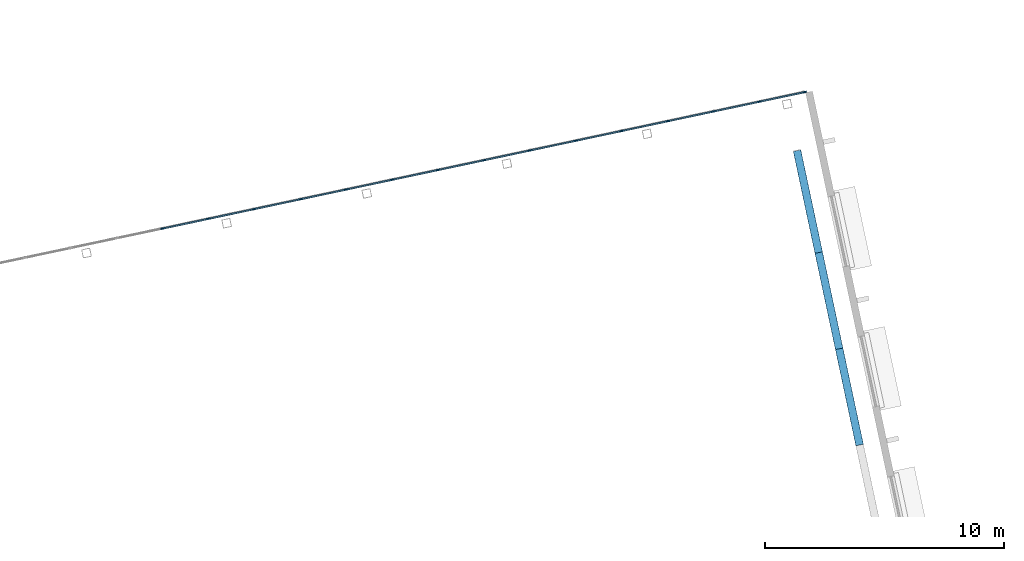
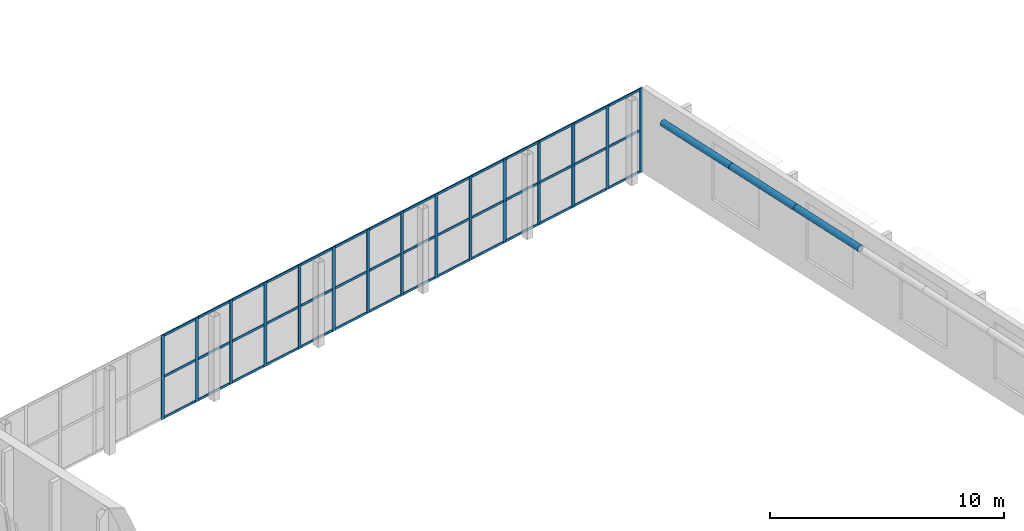
# One storey, part 34 of 95: 60 members, 1 element without a shape of its own.
"""IFC4 building model written with IfcOpenShell, lengths in metres."""

from ifc_helpers import new_model, si_unit, direction, frame, origin, origin_2d, place, context, subcontext, project, spatial, rectangle, hollow_circle, extrude, material, layer, layer_set, material_profile, profile_set, type_object, element, aggregate, save


model = new_model("IFC4")

# Units and contexts
model_context = context("Model", 3, precision=1e-05, world=origin(), true_north=direction((0.0, 1.0)))
body_context = subcontext(model_context, "Body", "Model", "MODEL_VIEW")
ifc_project = project(units=[si_unit("LENGTHUNIT", "METRE"), si_unit("AREAUNIT", "SQUARE_METRE"), si_unit("VOLUMEUNIT", "CUBIC_METRE"), si_unit("PLANEANGLEUNIT", "RADIAN"), si_unit("MASSUNIT", "GRAM", prefix="KILO")], contexts=[model_context])

# Site, building, storey
site_placement = place(None, origin())
site = spatial("IfcSite", under=ifc_project, at=site_placement, CompositionType="ELEMENT")
building_placement = place(site_placement, origin())
building = spatial("IfcBuilding", under=site, at=building_placement, Name="Windward Yard Aquatics Centre", CompositionType="ELEMENT")
storey_placement = place(building_placement, frame((0.0, 0.0, 9.39990234375)))
storey = spatial("IfcBuildingStorey", under=building, at=storey_placement, Name="L02", CompositionType="ELEMENT", Elevation=9.39990234375)

# Members
ifc_material_1 = material(Name="Steel ASTM A500 Gr C", Category="steel")
ifc_material_profile_1 = material_profile(ifc_material_1, hollow_circle(Radius=0.161865234375, WallThickness=0.0126953125, at=origin_2d()), Name="HSS323.9X12.7")
ifc_profile_set_1 = profile_set([ifc_material_profile_1], Name="Steel ASTM A500 Gr C")
member_type_1 = type_object("IfcMemberType", Name="D bottom chord HSS323.9X12.7", PredefinedType="CHORD", material=ifc_profile_set_1)
for number, where, z_axis, x_axis, name in (
    (1, (195.17822265625, 67.757568359375, 4.16796875), (-0.207906233063, 0.978148760799, 0.0), (-0.978148760799, -0.207906233063, 0.0), "D.M.TR7.BC5"),
    (2, (194.321533203125, 71.7880859375, 4.16796875), (-0.207906233063, 0.978148760799, 0.0), (-0.978148760799, -0.207906233063, 0.0), "D.M.TR7.BC6"),
):
    element("IfcMember", number, at=place(storey_placement, frame(where, z_axis=z_axis, x_axis=x_axis)), inside=storey, type_object=member_type_1, Name=name, PredefinedType="CHORD", context=body_context, shape_type="SweptSolid", body=[
        extrude(hollow_circle(Radius=0.161865234375, WallThickness=0.0126953125, at=origin_2d()), origin(), (0.0, 0.0, 1.0), 4.12060546875),
    ])
member_1_placement = place(storey_placement, frame((193.46484375, 75.818603515625, 4.16796875), z_axis=(-0.207918885104, 0.978146071513, 0.0), x_axis=(-0.978146071513, -0.207918885104, 0.0)))
element("IfcMember", 3, at=member_1_placement, inside=storey, type_object=member_type_1, Name="D.M.TR7.BC7", PredefinedType="CHORD", context=body_context, shape_type="SweptSolid", body=[
    extrude(hollow_circle(Radius=0.161865234375, WallThickness=0.0126953125, at=origin_2d()), origin(), (0.0, 0.0, 1.0), 4.370361328125),
])

# Curtain wall, members
ifc_material_2 = material(Name="Aluminium and glass", Category="aluminium")
ifc_layer = layer(ifc_material_2, 0.159912109375)
ifc_layer_set = layer_set([ifc_layer], Name="D curtain wall 160")
curtain_wall_type = type_object("IfcCurtainWallType", Name="D curtain wall 160", PredefinedType="NOTDEFINED", material=ifc_layer_set)
curtain_wall_placement = place(storey_placement, origin())
curtain_wall = element("IfcCurtainWall", 4, at=curtain_wall_placement, inside=storey, type_object=curtain_wall_type, Name="North glazing L02", PredefinedType="NOTDEFINED")
ifc_material_3 = material(Name="Aluminium extrusion", Category="aluminium")
ifc_material_profile_2 = material_profile(ifc_material_3, rectangle(XDim=0.06005859375, YDim=0.159912109375, at=origin_2d()), Name="MULLION 60X160")
ifc_profile_set_2 = profile_set([ifc_material_profile_2], Name="Aluminium extrusion")
member_type_2 = type_object("IfcMemberType", Name="D curtain wall mullion 60X160", PredefinedType="MULLION", material=ifc_profile_set_2)
member_2_placement = place(storey_placement, frame((165.98388671875, 76.82568359375, 0.0), z_axis=(0.0, 0.0, 1.0), x_axis=(-0.207911718662, 0.978147594815, 0.0)))
member_2 = element("IfcMember", 5, at=member_2_placement, type_object=member_type_2, Name="DCW-L02 mullion 6", PredefinedType="MULLION", context=body_context, shape_type="SweptSolid", body=[
    extrude(rectangle(XDim=0.06005859375, YDim=0.159912109375, at=origin_2d()), origin(), (0.0, 0.0, 1.0), 4.400146484375),
])
member_3_placement = place(storey_placement, frame((167.90673828125, 77.234375, 0.0), z_axis=(0.0, 0.0, 1.0), x_axis=(-0.207911718662, 0.978147594815, 0.0)))
member_3 = element("IfcMember", 6, at=member_3_placement, type_object=member_type_2, Name="DCW-L02 mullion 7", PredefinedType="MULLION", context=body_context, shape_type="SweptSolid", body=[
    extrude(rectangle(XDim=0.06005859375, YDim=0.159912109375, at=origin_2d()), origin(), (0.0, 0.0, 1.0), 4.400146484375),
])
member_4_placement = place(storey_placement, frame((169.82958984375, 77.64306640625, 0.0), z_axis=(0.0, 0.0, 1.0), x_axis=(-0.207911718662, 0.978147594815, 0.0)))
member_4 = element("IfcMember", 7, at=member_4_placement, type_object=member_type_2, Name="DCW-L02 mullion 8", PredefinedType="MULLION", context=body_context, shape_type="SweptSolid", body=[
    extrude(rectangle(XDim=0.06005859375, YDim=0.159912109375, at=origin_2d()), origin(), (0.0, 0.0, 1.0), 4.400146484375),
])
member_5_placement = place(storey_placement, frame((171.75244140625, 78.0517578125, 0.0), z_axis=(0.0, 0.0, 1.0), x_axis=(-0.207911718662, 0.978147594815, 0.0)))
member_5 = element("IfcMember", 8, at=member_5_placement, type_object=member_type_2, Name="DCW-L02 mullion 9", PredefinedType="MULLION", context=body_context, shape_type="SweptSolid", body=[
    extrude(rectangle(XDim=0.06005859375, YDim=0.159912109375, at=origin_2d()), origin(), (0.0, 0.0, 1.0), 4.400146484375),
])
member_6_placement = place(storey_placement, frame((173.67529296875, 78.46044921875, 0.0), z_axis=(0.0, 0.0, 1.0), x_axis=(-0.207911718662, 0.978147594815, 0.0)))
member_6 = element("IfcMember", 9, at=member_6_placement, type_object=member_type_2, Name="DCW-L02 mullion 10", PredefinedType="MULLION", context=body_context, shape_type="SweptSolid", body=[
    extrude(rectangle(XDim=0.06005859375, YDim=0.159912109375, at=origin_2d()), origin(), (0.0, 0.0, 1.0), 4.400146484375),
])
member_7_placement = place(storey_placement, frame((175.59814453125, 78.869140625, 0.0), z_axis=(0.0, 0.0, 1.0), x_axis=(-0.207911718662, 0.978147594815, 0.0)))
member_7 = element("IfcMember", 10, at=member_7_placement, type_object=member_type_2, Name="DCW-L02 mullion 11", PredefinedType="MULLION", context=body_context, shape_type="SweptSolid", body=[
    extrude(rectangle(XDim=0.06005859375, YDim=0.159912109375, at=origin_2d()), origin(), (0.0, 0.0, 1.0), 4.400146484375),
])
member_8_placement = place(storey_placement, frame((177.52099609375, 79.27783203125, 0.0), z_axis=(0.0, 0.0, 1.0), x_axis=(-0.207911718662, 0.978147594815, 0.0)))
member_8 = element("IfcMember", 11, at=member_8_placement, type_object=member_type_2, Name="DCW-L02 mullion 12", PredefinedType="MULLION", context=body_context, shape_type="SweptSolid", body=[
    extrude(rectangle(XDim=0.06005859375, YDim=0.159912109375, at=origin_2d()), origin(), (0.0, 0.0, 1.0), 4.400146484375),
])
member_9_placement = place(storey_placement, frame((179.44384765625, 79.6865234375, 0.0), z_axis=(0.0, 0.0, 1.0), x_axis=(-0.207911718662, 0.978147594815, 0.0)))
member_9 = element("IfcMember", 12, at=member_9_placement, type_object=member_type_2, Name="DCW-L02 mullion 13", PredefinedType="MULLION", context=body_context, shape_type="SweptSolid", body=[
    extrude(rectangle(XDim=0.06005859375, YDim=0.159912109375, at=origin_2d()), origin(), (0.0, 0.0, 1.0), 4.400146484375),
])
member_10_placement = place(storey_placement, frame((181.36669921875, 80.09521484375, 0.0), z_axis=(0.0, 0.0, 1.0), x_axis=(-0.207911718662, 0.978147594815, 0.0)))
member_10 = element("IfcMember", 13, at=member_10_placement, type_object=member_type_2, Name="DCW-L02 mullion 14", PredefinedType="MULLION", context=body_context, shape_type="SweptSolid", body=[
    extrude(rectangle(XDim=0.06005859375, YDim=0.159912109375, at=origin_2d()), origin(), (0.0, 0.0, 1.0), 4.400146484375),
])
member_11_placement = place(storey_placement, frame((183.28955078125, 80.504150390625, 0.0), z_axis=(0.0, 0.0, 1.0), x_axis=(-0.207911718662, 0.978147594815, 0.0)))
member_11 = element("IfcMember", 14, at=member_11_placement, type_object=member_type_2, Name="DCW-L02 mullion 15", PredefinedType="MULLION", context=body_context, shape_type="SweptSolid", body=[
    extrude(rectangle(XDim=0.06005859375, YDim=0.159912109375, at=origin_2d()), origin(), (0.0, 0.0, 1.0), 4.400146484375),
])
member_12_placement = place(storey_placement, frame((185.212158203125, 80.912841796875, 0.0), z_axis=(0.0, 0.0, 1.0), x_axis=(-0.207911718662, 0.978147594815, 0.0)))
member_12 = element("IfcMember", 15, at=member_12_placement, type_object=member_type_2, Name="DCW-L02 mullion 16", PredefinedType="MULLION", context=body_context, shape_type="SweptSolid", body=[
    extrude(rectangle(XDim=0.06005859375, YDim=0.159912109375, at=origin_2d()), origin(), (0.0, 0.0, 1.0), 4.400146484375),
])
member_13_placement = place(storey_placement, frame((187.135009765625, 81.321533203125, 0.0), z_axis=(0.0, 0.0, 1.0), x_axis=(-0.207911718662, 0.978147594815, 0.0)))
member_13 = element("IfcMember", 16, at=member_13_placement, type_object=member_type_2, Name="DCW-L02 mullion 17", PredefinedType="MULLION", context=body_context, shape_type="SweptSolid", body=[
    extrude(rectangle(XDim=0.06005859375, YDim=0.159912109375, at=origin_2d()), origin(), (0.0, 0.0, 1.0), 4.400146484375),
])
member_14_placement = place(storey_placement, frame((189.057861328125, 81.730224609375, 0.0), z_axis=(0.0, 0.0, 1.0), x_axis=(-0.207911718662, 0.978147594815, 0.0)))
member_14 = element("IfcMember", 17, at=member_14_placement, type_object=member_type_2, Name="DCW-L02 mullion 18", PredefinedType="MULLION", context=body_context, shape_type="SweptSolid", body=[
    extrude(rectangle(XDim=0.06005859375, YDim=0.159912109375, at=origin_2d()), origin(), (0.0, 0.0, 1.0), 4.400146484375),
])
member_15_placement = place(storey_placement, frame((190.980712890625, 82.138916015625, 0.0), z_axis=(0.0, 0.0, 1.0), x_axis=(-0.207911718662, 0.978147594815, 0.0)))
member_15 = element("IfcMember", 18, at=member_15_placement, type_object=member_type_2, Name="DCW-L02 mullion 19", PredefinedType="MULLION", context=body_context, shape_type="SweptSolid", body=[
    extrude(rectangle(XDim=0.06005859375, YDim=0.159912109375, at=origin_2d()), origin(), (0.0, 0.0, 1.0), 4.400146484375),
])
member_16_placement = place(storey_placement, frame((192.874267578125, 82.541259765625, 0.0), z_axis=(0.0, 0.0, 1.0), x_axis=(-0.207911718662, 0.978147594815, 0.0)))
member_16 = element("IfcMember", 19, at=member_16_placement, type_object=member_type_2, Name="DCW-L02 mullion 20", PredefinedType="MULLION", context=body_context, shape_type="SweptSolid", body=[
    extrude(rectangle(XDim=0.06005859375, YDim=0.159912109375, at=origin_2d()), origin(), (0.0, 0.0, 1.0), 4.400146484375),
])
ifc_material_profile_3 = material_profile(ifc_material_3, rectangle(XDim=0.06005859375, YDim=0.1201171875, at=origin_2d()), Name="TRANSOM 60X120")
ifc_profile_set_3 = profile_set([ifc_material_profile_3], Name="Aluminium extrusion")
member_type_3 = type_object("IfcMemberType", Name="D curtain wall transom 60X120", PredefinedType="USERDEFINED", material=ifc_profile_set_3)
member_17_placement = place(storey_placement, frame((166.01318359375, 76.831787109375, 0.06005859375), z_axis=(0.978149734379, 0.207901652553, 0.0), x_axis=(-0.207901652553, 0.978149734379, 0.0)))
member_17 = element("IfcMember", 20, at=member_17_placement, type_object=member_type_3, Name="DCW-L02 transom 6.1", ObjectType="TRANSOM", PredefinedType="USERDEFINED", context=body_context, shape_type="SweptSolid", body=[
    extrude(rectangle(XDim=0.06005859375, YDim=0.1201171875, at=origin_2d()), origin(), (0.0, 0.0, 1.0), 1.906005859375),
])
member_18_placement = place(storey_placement, frame((166.01318359375, 76.831787109375, 2.2001953125), z_axis=(0.978149734379, 0.207901652553, 0.0), x_axis=(-0.207901652553, 0.978149734379, 0.0)))
member_18 = element("IfcMember", 21, at=member_18_placement, type_object=member_type_3, Name="DCW-L02 transom 6.2", ObjectType="TRANSOM", PredefinedType="USERDEFINED", context=body_context, shape_type="SweptSolid", body=[
    extrude(rectangle(XDim=0.06005859375, YDim=0.1201171875, at=origin_2d()), origin(), (0.0, 0.0, 1.0), 1.906005859375),
])
member_19_placement = place(storey_placement, frame((166.01318359375, 76.831787109375, 4.340087890625), z_axis=(0.978149734379, 0.207901652553, 0.0), x_axis=(-0.207901652553, 0.978149734379, 0.0)))
member_19 = element("IfcMember", 22, at=member_19_placement, type_object=member_type_3, Name="DCW-L02 transom 6.3", ObjectType="TRANSOM", PredefinedType="USERDEFINED", context=body_context, shape_type="SweptSolid", body=[
    extrude(rectangle(XDim=0.06005859375, YDim=0.1201171875, at=origin_2d()), origin(), (0.0, 0.0, 1.0), 1.906005859375),
])
member_20_placement = place(storey_placement, frame((167.93603515625, 77.240478515625, 0.06005859375), z_axis=(0.978149734379, 0.207901652553, 0.0), x_axis=(-0.207901652553, 0.978149734379, 0.0)))
member_20 = element("IfcMember", 23, at=member_20_placement, type_object=member_type_3, Name="DCW-L02 transom 7.1", ObjectType="TRANSOM", PredefinedType="USERDEFINED", context=body_context, shape_type="SweptSolid", body=[
    extrude(rectangle(XDim=0.06005859375, YDim=0.1201171875, at=origin_2d()), origin(), (0.0, 0.0, 1.0), 1.906005859375),
])
member_21_placement = place(storey_placement, frame((167.93603515625, 77.240478515625, 2.2001953125), z_axis=(0.978149734379, 0.207901652553, 0.0), x_axis=(-0.207901652553, 0.978149734379, 0.0)))
member_21 = element("IfcMember", 24, at=member_21_placement, type_object=member_type_3, Name="DCW-L02 transom 7.2", ObjectType="TRANSOM", PredefinedType="USERDEFINED", context=body_context, shape_type="SweptSolid", body=[
    extrude(rectangle(XDim=0.06005859375, YDim=0.1201171875, at=origin_2d()), origin(), (0.0, 0.0, 1.0), 1.906005859375),
])
member_22_placement = place(storey_placement, frame((167.93603515625, 77.240478515625, 4.340087890625), z_axis=(0.978149734379, 0.207901652553, 0.0), x_axis=(-0.207901652553, 0.978149734379, 0.0)))
member_22 = element("IfcMember", 25, at=member_22_placement, type_object=member_type_3, Name="DCW-L02 transom 7.3", ObjectType="TRANSOM", PredefinedType="USERDEFINED", context=body_context, shape_type="SweptSolid", body=[
    extrude(rectangle(XDim=0.06005859375, YDim=0.1201171875, at=origin_2d()), origin(), (0.0, 0.0, 1.0), 1.906005859375),
])
member_23_placement = place(storey_placement, frame((169.85888671875, 77.6494140625, 0.06005859375), z_axis=(0.978149734379, 0.207901652553, 0.0), x_axis=(-0.207901652553, 0.978149734379, 0.0)))
member_23 = element("IfcMember", 26, at=member_23_placement, type_object=member_type_3, Name="DCW-L02 transom 8.1", ObjectType="TRANSOM", PredefinedType="USERDEFINED", context=body_context, shape_type="SweptSolid", body=[
    extrude(rectangle(XDim=0.06005859375, YDim=0.1201171875, at=origin_2d()), origin(), (0.0, 0.0, 1.0), 1.906005859375),
])
member_24_placement = place(storey_placement, frame((169.85888671875, 77.6494140625, 2.2001953125), z_axis=(0.978149734379, 0.207901652553, 0.0), x_axis=(-0.207901652553, 0.978149734379, 0.0)))
member_24 = element("IfcMember", 27, at=member_24_placement, type_object=member_type_3, Name="DCW-L02 transom 8.2", ObjectType="TRANSOM", PredefinedType="USERDEFINED", context=body_context, shape_type="SweptSolid", body=[
    extrude(rectangle(XDim=0.06005859375, YDim=0.1201171875, at=origin_2d()), origin(), (0.0, 0.0, 1.0), 1.906005859375),
])
member_25_placement = place(storey_placement, frame((169.85888671875, 77.6494140625, 4.340087890625), z_axis=(0.978149734379, 0.207901652553, 0.0), x_axis=(-0.207901652553, 0.978149734379, 0.0)))
member_25 = element("IfcMember", 28, at=member_25_placement, type_object=member_type_3, Name="DCW-L02 transom 8.3", ObjectType="TRANSOM", PredefinedType="USERDEFINED", context=body_context, shape_type="SweptSolid", body=[
    extrude(rectangle(XDim=0.06005859375, YDim=0.1201171875, at=origin_2d()), origin(), (0.0, 0.0, 1.0), 1.906005859375),
])
member_26_placement = place(storey_placement, frame((171.78173828125, 78.05810546875, 0.06005859375), z_axis=(0.978149734379, 0.207901652553, 0.0), x_axis=(-0.207901652553, 0.978149734379, 0.0)))
member_26 = element("IfcMember", 29, at=member_26_placement, type_object=member_type_3, Name="DCW-L02 transom 9.1", ObjectType="TRANSOM", PredefinedType="USERDEFINED", context=body_context, shape_type="SweptSolid", body=[
    extrude(rectangle(XDim=0.06005859375, YDim=0.1201171875, at=origin_2d()), origin(), (0.0, 0.0, 1.0), 1.906005859375),
])
member_27_placement = place(storey_placement, frame((171.78173828125, 78.05810546875, 2.2001953125), z_axis=(0.978149734379, 0.207901652553, 0.0), x_axis=(-0.207901652553, 0.978149734379, 0.0)))
member_27 = element("IfcMember", 30, at=member_27_placement, type_object=member_type_3, Name="DCW-L02 transom 9.2", ObjectType="TRANSOM", PredefinedType="USERDEFINED", context=body_context, shape_type="SweptSolid", body=[
    extrude(rectangle(XDim=0.06005859375, YDim=0.1201171875, at=origin_2d()), origin(), (0.0, 0.0, 1.0), 1.906005859375),
])
member_28_placement = place(storey_placement, frame((171.78173828125, 78.05810546875, 4.340087890625), z_axis=(0.978149734379, 0.207901652553, 0.0), x_axis=(-0.207901652553, 0.978149734379, 0.0)))
member_28 = element("IfcMember", 31, at=member_28_placement, type_object=member_type_3, Name="DCW-L02 transom 9.3", ObjectType="TRANSOM", PredefinedType="USERDEFINED", context=body_context, shape_type="SweptSolid", body=[
    extrude(rectangle(XDim=0.06005859375, YDim=0.1201171875, at=origin_2d()), origin(), (0.0, 0.0, 1.0), 1.906005859375),
])
member_29_placement = place(storey_placement, frame((173.70458984375, 78.466796875, 0.06005859375), z_axis=(0.978149734379, 0.207901652553, 0.0), x_axis=(-0.207901652553, 0.978149734379, 0.0)))
member_29 = element("IfcMember", 32, at=member_29_placement, type_object=member_type_3, Name="DCW-L02 transom 10.1", ObjectType="TRANSOM", PredefinedType="USERDEFINED", context=body_context, shape_type="SweptSolid", body=[
    extrude(rectangle(XDim=0.06005859375, YDim=0.1201171875, at=origin_2d()), origin(), (0.0, 0.0, 1.0), 1.906005859375),
])
member_30_placement = place(storey_placement, frame((173.70458984375, 78.466796875, 2.2001953125), z_axis=(0.978149734379, 0.207901652553, 0.0), x_axis=(-0.207901652553, 0.978149734379, 0.0)))
member_30 = element("IfcMember", 33, at=member_30_placement, type_object=member_type_3, Name="DCW-L02 transom 10.2", ObjectType="TRANSOM", PredefinedType="USERDEFINED", context=body_context, shape_type="SweptSolid", body=[
    extrude(rectangle(XDim=0.06005859375, YDim=0.1201171875, at=origin_2d()), origin(), (0.0, 0.0, 1.0), 1.906005859375),
])
member_31_placement = place(storey_placement, frame((173.70458984375, 78.466796875, 4.340087890625), z_axis=(0.978149734379, 0.207901652553, 0.0), x_axis=(-0.207901652553, 0.978149734379, 0.0)))
member_31 = element("IfcMember", 34, at=member_31_placement, type_object=member_type_3, Name="DCW-L02 transom 10.3", ObjectType="TRANSOM", PredefinedType="USERDEFINED", context=body_context, shape_type="SweptSolid", body=[
    extrude(rectangle(XDim=0.06005859375, YDim=0.1201171875, at=origin_2d()), origin(), (0.0, 0.0, 1.0), 1.906005859375),
])
member_32_placement = place(storey_placement, frame((175.62744140625, 78.87548828125, 0.06005859375), z_axis=(0.978149734379, 0.207901652553, 0.0), x_axis=(-0.207901652553, 0.978149734379, 0.0)))
member_32 = element("IfcMember", 35, at=member_32_placement, type_object=member_type_3, Name="DCW-L02 transom 11.1", ObjectType="TRANSOM", PredefinedType="USERDEFINED", context=body_context, shape_type="SweptSolid", body=[
    extrude(rectangle(XDim=0.06005859375, YDim=0.1201171875, at=origin_2d()), origin(), (0.0, 0.0, 1.0), 1.906005859375),
])
member_33_placement = place(storey_placement, frame((175.62744140625, 78.87548828125, 2.2001953125), z_axis=(0.978149734379, 0.207901652553, 0.0), x_axis=(-0.207901652553, 0.978149734379, 0.0)))
member_33 = element("IfcMember", 36, at=member_33_placement, type_object=member_type_3, Name="DCW-L02 transom 11.2", ObjectType="TRANSOM", PredefinedType="USERDEFINED", context=body_context, shape_type="SweptSolid", body=[
    extrude(rectangle(XDim=0.06005859375, YDim=0.1201171875, at=origin_2d()), origin(), (0.0, 0.0, 1.0), 1.906005859375),
])
member_34_placement = place(storey_placement, frame((175.62744140625, 78.87548828125, 4.340087890625), z_axis=(0.978149734379, 0.207901652553, 0.0), x_axis=(-0.207901652553, 0.978149734379, 0.0)))
member_34 = element("IfcMember", 37, at=member_34_placement, type_object=member_type_3, Name="DCW-L02 transom 11.3", ObjectType="TRANSOM", PredefinedType="USERDEFINED", context=body_context, shape_type="SweptSolid", body=[
    extrude(rectangle(XDim=0.06005859375, YDim=0.1201171875, at=origin_2d()), origin(), (0.0, 0.0, 1.0), 1.906005859375),
])
member_35_placement = place(storey_placement, frame((177.55029296875, 79.2841796875, 0.06005859375), z_axis=(0.978149734379, 0.207901652553, 0.0), x_axis=(-0.207901652553, 0.978149734379, 0.0)))
member_35 = element("IfcMember", 38, at=member_35_placement, type_object=member_type_3, Name="DCW-L02 transom 12.1", ObjectType="TRANSOM", PredefinedType="USERDEFINED", context=body_context, shape_type="SweptSolid", body=[
    extrude(rectangle(XDim=0.06005859375, YDim=0.1201171875, at=origin_2d()), origin(), (0.0, 0.0, 1.0), 1.906005859375),
])
member_36_placement = place(storey_placement, frame((177.55029296875, 79.2841796875, 2.2001953125), z_axis=(0.978149734379, 0.207901652553, 0.0), x_axis=(-0.207901652553, 0.978149734379, 0.0)))
member_36 = element("IfcMember", 39, at=member_36_placement, type_object=member_type_3, Name="DCW-L02 transom 12.2", ObjectType="TRANSOM", PredefinedType="USERDEFINED", context=body_context, shape_type="SweptSolid", body=[
    extrude(rectangle(XDim=0.06005859375, YDim=0.1201171875, at=origin_2d()), origin(), (0.0, 0.0, 1.0), 1.906005859375),
])
member_37_placement = place(storey_placement, frame((177.55029296875, 79.2841796875, 4.340087890625), z_axis=(0.978149734379, 0.207901652553, 0.0), x_axis=(-0.207901652553, 0.978149734379, 0.0)))
member_37 = element("IfcMember", 40, at=member_37_placement, type_object=member_type_3, Name="DCW-L02 transom 12.3", ObjectType="TRANSOM", PredefinedType="USERDEFINED", context=body_context, shape_type="SweptSolid", body=[
    extrude(rectangle(XDim=0.06005859375, YDim=0.1201171875, at=origin_2d()), origin(), (0.0, 0.0, 1.0), 1.906005859375),
])
member_38_placement = place(storey_placement, frame((179.47314453125, 79.69287109375, 0.06005859375), z_axis=(0.978144196583, 0.207927705443, 0.0), x_axis=(-0.207927705443, 0.978144196583, 0.0)))
member_38 = element("IfcMember", 41, at=member_38_placement, type_object=member_type_3, Name="DCW-L02 transom 13.1", ObjectType="TRANSOM", PredefinedType="USERDEFINED", context=body_context, shape_type="SweptSolid", body=[
    extrude(rectangle(XDim=0.06005859375, YDim=0.1201171875, at=origin_2d()), origin(), (0.0, 0.0, 1.0), 1.90576171875),
])
member_39_placement = place(storey_placement, frame((179.47314453125, 79.69287109375, 2.2001953125), z_axis=(0.978144196583, 0.207927705443, 0.0), x_axis=(-0.207927705443, 0.978144196583, 0.0)))
member_39 = element("IfcMember", 42, at=member_39_placement, type_object=member_type_3, Name="DCW-L02 transom 13.2", ObjectType="TRANSOM", PredefinedType="USERDEFINED", context=body_context, shape_type="SweptSolid", body=[
    extrude(rectangle(XDim=0.06005859375, YDim=0.1201171875, at=origin_2d()), origin(), (0.0, 0.0, 1.0), 1.90576171875),
])
member_40_placement = place(storey_placement, frame((179.47314453125, 79.69287109375, 4.340087890625), z_axis=(0.978144196583, 0.207927705443, 0.0), x_axis=(-0.207927705443, 0.978144196583, 0.0)))
member_40 = element("IfcMember", 43, at=member_40_placement, type_object=member_type_3, Name="DCW-L02 transom 13.3", ObjectType="TRANSOM", PredefinedType="USERDEFINED", context=body_context, shape_type="SweptSolid", body=[
    extrude(rectangle(XDim=0.06005859375, YDim=0.1201171875, at=origin_2d()), origin(), (0.0, 0.0, 1.0), 1.90576171875),
])
member_41_placement = place(storey_placement, frame((181.39599609375, 80.1015625, 0.06005859375), z_axis=(0.978144196583, 0.207927705443, 0.0), x_axis=(-0.207927705443, 0.978144196583, 0.0)))
member_41 = element("IfcMember", 44, at=member_41_placement, type_object=member_type_3, Name="DCW-L02 transom 14.1", ObjectType="TRANSOM", PredefinedType="USERDEFINED", context=body_context, shape_type="SweptSolid", body=[
    extrude(rectangle(XDim=0.06005859375, YDim=0.1201171875, at=origin_2d()), origin(), (0.0, 0.0, 1.0), 1.90576171875),
])
member_42_placement = place(storey_placement, frame((181.39599609375, 80.1015625, 2.2001953125), z_axis=(0.978144196583, 0.207927705443, 0.0), x_axis=(-0.207927705443, 0.978144196583, 0.0)))
member_42 = element("IfcMember", 45, at=member_42_placement, type_object=member_type_3, Name="DCW-L02 transom 14.2", ObjectType="TRANSOM", PredefinedType="USERDEFINED", context=body_context, shape_type="SweptSolid", body=[
    extrude(rectangle(XDim=0.06005859375, YDim=0.1201171875, at=origin_2d()), origin(), (0.0, 0.0, 1.0), 1.90576171875),
])
member_43_placement = place(storey_placement, frame((181.39599609375, 80.1015625, 4.340087890625), z_axis=(0.978144196583, 0.207927705443, 0.0), x_axis=(-0.207927705443, 0.978144196583, 0.0)))
member_43 = element("IfcMember", 46, at=member_43_placement, type_object=member_type_3, Name="DCW-L02 transom 14.3", ObjectType="TRANSOM", PredefinedType="USERDEFINED", context=body_context, shape_type="SweptSolid", body=[
    extrude(rectangle(XDim=0.06005859375, YDim=0.1201171875, at=origin_2d()), origin(), (0.0, 0.0, 1.0), 1.90576171875),
])
member_44_placement = place(storey_placement, frame((183.31884765625, 80.51025390625, 0.06005859375), z_axis=(0.978144196583, 0.207927705443, 0.0), x_axis=(-0.207927705443, 0.978144196583, 0.0)))
member_44 = element("IfcMember", 47, at=member_44_placement, type_object=member_type_3, Name="DCW-L02 transom 15.1", ObjectType="TRANSOM", PredefinedType="USERDEFINED", context=body_context, shape_type="SweptSolid", body=[
    extrude(rectangle(XDim=0.06005859375, YDim=0.1201171875, at=origin_2d()), origin(), (0.0, 0.0, 1.0), 1.90576171875),
])
member_45_placement = place(storey_placement, frame((183.31884765625, 80.51025390625, 2.2001953125), z_axis=(0.978144196583, 0.207927705443, 0.0), x_axis=(-0.207927705443, 0.978144196583, 0.0)))
member_45 = element("IfcMember", 48, at=member_45_placement, type_object=member_type_3, Name="DCW-L02 transom 15.2", ObjectType="TRANSOM", PredefinedType="USERDEFINED", context=body_context, shape_type="SweptSolid", body=[
    extrude(rectangle(XDim=0.06005859375, YDim=0.1201171875, at=origin_2d()), origin(), (0.0, 0.0, 1.0), 1.90576171875),
])
member_46_placement = place(storey_placement, frame((183.31884765625, 80.51025390625, 4.340087890625), z_axis=(0.978144196583, 0.207927705443, 0.0), x_axis=(-0.207927705443, 0.978144196583, 0.0)))
member_46 = element("IfcMember", 49, at=member_46_placement, type_object=member_type_3, Name="DCW-L02 transom 15.3", ObjectType="TRANSOM", PredefinedType="USERDEFINED", context=body_context, shape_type="SweptSolid", body=[
    extrude(rectangle(XDim=0.06005859375, YDim=0.1201171875, at=origin_2d()), origin(), (0.0, 0.0, 1.0), 1.90576171875),
])
member_47_placement = place(storey_placement, frame((185.24169921875, 80.9189453125, 0.06005859375), z_axis=(0.978144196583, 0.207927705443, 0.0), x_axis=(-0.207927705443, 0.978144196583, 0.0)))
member_47 = element("IfcMember", 50, at=member_47_placement, type_object=member_type_3, Name="DCW-L02 transom 16.1", ObjectType="TRANSOM", PredefinedType="USERDEFINED", context=body_context, shape_type="SweptSolid", body=[
    extrude(rectangle(XDim=0.06005859375, YDim=0.1201171875, at=origin_2d()), origin(), (0.0, 0.0, 1.0), 1.90576171875),
])
member_48_placement = place(storey_placement, frame((185.24169921875, 80.9189453125, 2.2001953125), z_axis=(0.978144196583, 0.207927705443, 0.0), x_axis=(-0.207927705443, 0.978144196583, 0.0)))
member_48 = element("IfcMember", 51, at=member_48_placement, type_object=member_type_3, Name="DCW-L02 transom 16.2", ObjectType="TRANSOM", PredefinedType="USERDEFINED", context=body_context, shape_type="SweptSolid", body=[
    extrude(rectangle(XDim=0.06005859375, YDim=0.1201171875, at=origin_2d()), origin(), (0.0, 0.0, 1.0), 1.90576171875),
])
member_49_placement = place(storey_placement, frame((185.24169921875, 80.9189453125, 4.340087890625), z_axis=(0.978144196583, 0.207927705443, 0.0), x_axis=(-0.207927705443, 0.978144196583, 0.0)))
member_49 = element("IfcMember", 52, at=member_49_placement, type_object=member_type_3, Name="DCW-L02 transom 16.3", ObjectType="TRANSOM", PredefinedType="USERDEFINED", context=body_context, shape_type="SweptSolid", body=[
    extrude(rectangle(XDim=0.06005859375, YDim=0.1201171875, at=origin_2d()), origin(), (0.0, 0.0, 1.0), 1.90576171875),
])
member_50_placement = place(storey_placement, frame((187.16455078125, 81.32763671875, 0.06005859375), z_axis=(0.978144196583, 0.207927705443, 0.0), x_axis=(-0.207927705443, 0.978144196583, 0.0)))
member_50 = element("IfcMember", 53, at=member_50_placement, type_object=member_type_3, Name="DCW-L02 transom 17.1", ObjectType="TRANSOM", PredefinedType="USERDEFINED", context=body_context, shape_type="SweptSolid", body=[
    extrude(rectangle(XDim=0.06005859375, YDim=0.1201171875, at=origin_2d()), origin(), (0.0, 0.0, 1.0), 1.90576171875),
])
member_51_placement = place(storey_placement, frame((187.16455078125, 81.32763671875, 2.2001953125), z_axis=(0.978144196583, 0.207927705443, 0.0), x_axis=(-0.207927705443, 0.978144196583, 0.0)))
member_51 = element("IfcMember", 54, at=member_51_placement, type_object=member_type_3, Name="DCW-L02 transom 17.2", ObjectType="TRANSOM", PredefinedType="USERDEFINED", context=body_context, shape_type="SweptSolid", body=[
    extrude(rectangle(XDim=0.06005859375, YDim=0.1201171875, at=origin_2d()), origin(), (0.0, 0.0, 1.0), 1.90576171875),
])
member_52_placement = place(storey_placement, frame((187.16455078125, 81.32763671875, 4.340087890625), z_axis=(0.978144196583, 0.207927705443, 0.0), x_axis=(-0.207927705443, 0.978144196583, 0.0)))
member_52 = element("IfcMember", 55, at=member_52_placement, type_object=member_type_3, Name="DCW-L02 transom 17.3", ObjectType="TRANSOM", PredefinedType="USERDEFINED", context=body_context, shape_type="SweptSolid", body=[
    extrude(rectangle(XDim=0.06005859375, YDim=0.1201171875, at=origin_2d()), origin(), (0.0, 0.0, 1.0), 1.90576171875),
])
member_53_placement = place(storey_placement, frame((189.08740234375, 81.736328125, 0.06005859375), z_axis=(0.978144196583, 0.207927705443, 0.0), x_axis=(-0.207927705443, 0.978144196583, 0.0)))
member_53 = element("IfcMember", 56, at=member_53_placement, type_object=member_type_3, Name="DCW-L02 transom 18.1", ObjectType="TRANSOM", PredefinedType="USERDEFINED", context=body_context, shape_type="SweptSolid", body=[
    extrude(rectangle(XDim=0.06005859375, YDim=0.1201171875, at=origin_2d()), origin(), (0.0, 0.0, 1.0), 1.90576171875),
])
member_54_placement = place(storey_placement, frame((189.08740234375, 81.736328125, 2.2001953125), z_axis=(0.978144196583, 0.207927705443, 0.0), x_axis=(-0.207927705443, 0.978144196583, 0.0)))
member_54 = element("IfcMember", 57, at=member_54_placement, type_object=member_type_3, Name="DCW-L02 transom 18.2", ObjectType="TRANSOM", PredefinedType="USERDEFINED", context=body_context, shape_type="SweptSolid", body=[
    extrude(rectangle(XDim=0.06005859375, YDim=0.1201171875, at=origin_2d()), origin(), (0.0, 0.0, 1.0), 1.90576171875),
])
member_55_placement = place(storey_placement, frame((189.08740234375, 81.736328125, 4.340087890625), z_axis=(0.978144196583, 0.207927705443, 0.0), x_axis=(-0.207927705443, 0.978144196583, 0.0)))
member_55 = element("IfcMember", 58, at=member_55_placement, type_object=member_type_3, Name="DCW-L02 transom 18.3", ObjectType="TRANSOM", PredefinedType="USERDEFINED", context=body_context, shape_type="SweptSolid", body=[
    extrude(rectangle(XDim=0.06005859375, YDim=0.1201171875, at=origin_2d()), origin(), (0.0, 0.0, 1.0), 1.90576171875),
])
member_56_placement = place(storey_placement, frame((191.010009765625, 82.14501953125, 0.06005859375), z_axis=(0.978136354166, 0.207964594726, 0.0), x_axis=(-0.207964594726, 0.978136354166, 0.0)))
member_56 = element("IfcMember", 59, at=member_56_placement, type_object=member_type_3, Name="DCW-L02 transom 19.1", ObjectType="TRANSOM", PredefinedType="USERDEFINED", context=body_context, shape_type="SweptSolid", body=[
    extrude(rectangle(XDim=0.06005859375, YDim=0.1201171875, at=origin_2d()), origin(), (0.0, 0.0, 1.0), 1.8759765625),
])
member_57_placement = place(storey_placement, frame((191.010009765625, 82.14501953125, 2.2001953125), z_axis=(0.978136354166, 0.207964594726, 0.0), x_axis=(-0.207964594726, 0.978136354166, 0.0)))
member_57 = element("IfcMember", 60, at=member_57_placement, type_object=member_type_3, Name="DCW-L02 transom 19.2", ObjectType="TRANSOM", PredefinedType="USERDEFINED", context=body_context, shape_type="SweptSolid", body=[
    extrude(rectangle(XDim=0.06005859375, YDim=0.1201171875, at=origin_2d()), origin(), (0.0, 0.0, 1.0), 1.8759765625),
])
member_58_placement = place(storey_placement, frame((191.010009765625, 82.14501953125, 4.340087890625), z_axis=(0.978136354166, 0.207964594726, 0.0), x_axis=(-0.207964594726, 0.978136354166, 0.0)))
member_58 = element("IfcMember", 61, at=member_58_placement, type_object=member_type_3, Name="DCW-L02 transom 19.3", ObjectType="TRANSOM", PredefinedType="USERDEFINED", context=body_context, shape_type="SweptSolid", body=[
    extrude(rectangle(XDim=0.06005859375, YDim=0.1201171875, at=origin_2d()), origin(), (0.0, 0.0, 1.0), 1.8759765625),
])
aggregate(curtain_wall, [member_2, member_3, member_4, member_5, member_6, member_7, member_8, member_9, member_10, member_11, member_12, member_13, member_14, member_15, member_16, member_17, member_18, member_19, member_20, member_21, member_22, member_23, member_24, member_25, member_26, member_27, member_28, member_29, member_30, member_31, member_32, member_33, member_34, member_35, member_36, member_37, member_38, member_39, member_40, member_41, member_42, member_43, member_44, member_45, member_46, member_47, member_48, member_49, member_50, member_51, member_52, member_53, member_54, member_55, member_56, member_57, member_58])

save(model, "model.ifc")
